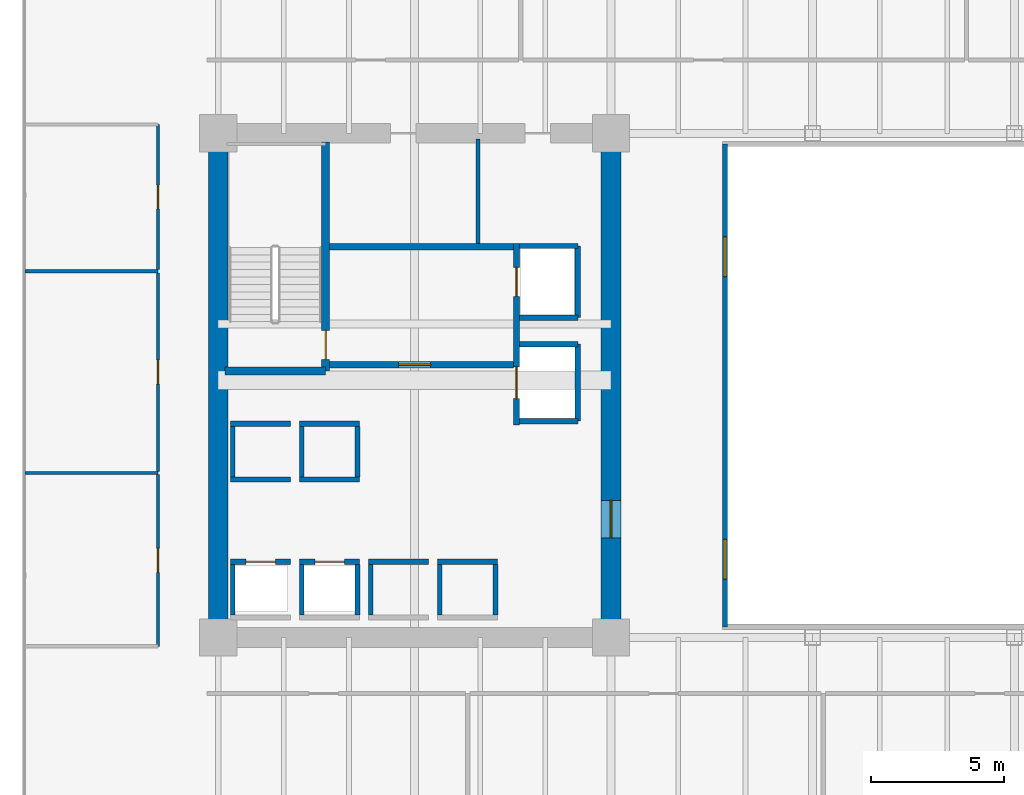
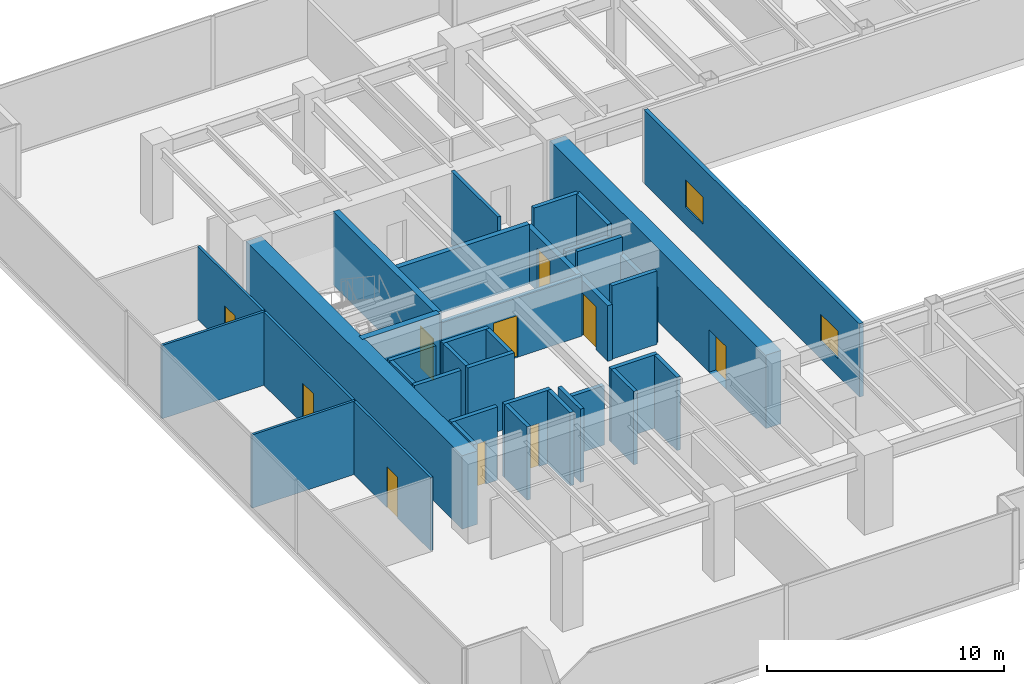
# One storey, part 29 of 35: 37 walls, 10 doors, 2 windows, 12 openings.
"""IFC4 building model written with IfcOpenShell, lengths in metres."""

from ifc_helpers import new_model, si_unit, direction, frame, frame_2d, origin, place, context, subcontext, project, spatial, rectangle, extrude, source, transform, mapped, material, layer, layer_set, type_object, type_shapes, element, fill, save


model = new_model("IFC4")

# Units and contexts
model_context = context("Model", 3, precision=1e-05, world=origin(), true_north=direction((0.0, 1.0)))
body_context = subcontext(model_context, "Body", "Model", "MODEL_VIEW")
ifc_project = project(units=[si_unit("LENGTHUNIT", "METRE"), si_unit("AREAUNIT", "SQUARE_METRE"), si_unit("VOLUMEUNIT", "CUBIC_METRE"), si_unit("PLANEANGLEUNIT", "RADIAN"), si_unit("MASSUNIT", "GRAM", prefix="KILO")], contexts=[model_context])

# Site, building, storey
site_placement = place(None, origin())
site = spatial("IfcSite", under=ifc_project, at=site_placement, CompositionType="ELEMENT")
building_placement = place(site_placement, origin())
building = spatial("IfcBuilding", under=site, at=building_placement, Name="Haelvirn Gate Laboratories", CompositionType="ELEMENT")
storey_placement = place(building_placement, frame((0.0, 0.0, 58.0)))
storey = spatial("IfcBuildingStorey", under=building, at=storey_placement, Name="L14", CompositionType="ELEMENT", Elevation=58.0)

# Wall, openings, windows
ifc_material_1 = material(Name="Tempered fire-rated borosilicate glass & anodised aluminium", Category="aluminium")
ifc_layer_1 = layer(ifc_material_1, 0.195068359375, Name="IW-GLAZ-200")
ifc_layer_set_1 = layer_set([ifc_layer_1], Name="Tempered fire-rated borosilicate glass & anodised aluminium")
wall_type_1 = type_object("IfcWallType", Name="IW-GLAZ-200", PredefinedType="SOLIDWALL", material=ifc_layer_set_1)
wall_1_placement = place(storey_placement, frame((26.5, 15.199951171875, 0.0), z_axis=(0.0, 0.0, 1.0), x_axis=(0.0, 1.0, 0.0)))
wall_1 = element("IfcWall", 1, at=wall_1_placement, inside=storey, type_object=wall_type_1, Name="L14 Interior Wall IW-L14-ATRIUM-W", PredefinedType="SOLIDWALL", context=body_context, shape_type="SweptSolid", body=[
    extrude(rectangle(XDim=18.199951171875, YDim=0.195068359375, at=frame_2d((9.10009765625, 0.0))), origin(), (0.0, 0.0, 1.0), 3.780029296875),
])
opening_1_placement = place(wall_1_placement, frame((1.800048828125, 0.0, 0.89990234375)))
opening_1 = element("IfcOpeningElement", 2, at=opening_1_placement, cuts=wall_1, Name="Opening W5", PredefinedType="OPENING", context=body_context, shape_type="SweptSolid", body=[
    extrude(rectangle(XDim=1.5, YDim=1.39990234375, at=frame_2d((0.75, 0.699951171875))), frame((0.0, 0.107421875, 0.0), z_axis=(0.0, -1.0, 0.0), x_axis=(1.0, 0.0, 0.0)), (0.0, 0.0, 1.0), 0.215087890625),
])
opening_2_placement = place(wall_1_placement, frame((13.199951171875, 0.0, 0.89990234375)))
opening_2 = element("IfcOpeningElement", 3, at=opening_2_placement, cuts=wall_1, Name="Opening W5", PredefinedType="OPENING", context=body_context, shape_type="SweptSolid", body=[
    extrude(rectangle(XDim=1.5, YDim=1.39990234375, at=frame_2d((0.75, 0.699951171875))), frame((0.0, 0.107421875, 0.0), z_axis=(0.0, -1.0, 0.0), x_axis=(1.0, 0.0, 0.0)), (0.0, 0.0, 1.0), 0.215087890625),
])
ifc_material_2 = material(Name="Fire-rated EI 120 borosilicate atrium vision glazing", Category="glass")
window_type = type_object("IfcWindowType", Name="WN-ATR-1500", PartitioningType="SINGLE_PANEL", PredefinedType="WINDOW", material=ifc_material_2)
shared_shape_1 = source(origin(), body_context, "Body", "SweptSolid", [
    extrude(rectangle(XDim=1.5, YDim=1.39990234375, at=frame_2d((0.75, 0.699951171875))), frame((0.0, 0.030029296875, 0.0), z_axis=(0.0, -1.0, 0.0), x_axis=(1.0, 0.0, 0.0)), (0.0, 0.0, 1.0), 0.06005859375),
])
type_shapes(window_type, [shared_shape_1])
window_1_placement = place(opening_1_placement, origin())
window_1 = element("IfcWindow", 4, at=window_1_placement, inside=storey, type_object=window_type, Name="L14 Atrium Observation Window 1", OverallHeight=1.39990234375, OverallWidth=1.5, PartitioningType="SINGLE_PANEL", PredefinedType="WINDOW", context=body_context, shape_type="MappedRepresentation", body=[
    mapped(shared_shape_1, transform((0.0, 0.0, 0.0), scale=1.0)),
])
fill(opening_1, window_1)
window_2_placement = place(opening_2_placement, origin())
window_2 = element("IfcWindow", 5, at=window_2_placement, inside=storey, type_object=window_type, Name="L14 Atrium Observation Window 2", OverallHeight=1.39990234375, OverallWidth=1.5, PartitioningType="SINGLE_PANEL", PredefinedType="WINDOW", context=body_context, shape_type="MappedRepresentation", body=[
    mapped(shared_shape_1, transform((0.0, 0.0, 0.0), scale=1.0)),
])
fill(opening_2, window_2)

# Wall, opening, door
ifc_material_3 = material(Name="Lightweight acoustic gypsum board partition", Category="gypsum")
ifc_layer_2 = layer(ifc_material_3, 0.1201171875, Name="IW-PART-120")
ifc_layer_set_2 = layer_set([ifc_layer_2], Name="Lightweight acoustic gypsum board partition")
wall_type_2 = type_object("IfcWallType", Name="IW-PART-120", PredefinedType="PARTITIONING", material=ifc_layer_set_2)
wall_2_placement = place(storey_placement, frame((5.1298828125, 14.465087890625, 0.0), z_axis=(0.0, 0.0, 1.0), x_axis=(0.0, 1.0, 0.0)))
wall_2 = element("IfcWall", 6, at=wall_2_placement, inside=storey, type_object=wall_type_2, Name="L14 Interior Wall IW-L14-WPASS-01", PredefinedType="PARTITIONING", context=body_context, shape_type="SweptSolid", body=[
    extrude(rectangle(XDim=6.474853515625, YDim=0.1201171875, at=frame_2d((3.2373046875, 0.0))), origin(), (0.0, 0.0, 1.0), 3.780029296875),
])
opening_3_placement = place(wall_2_placement, frame((2.78759765625, 0.0, 0.0)))
opening_3 = element("IfcOpeningElement", 7, at=opening_3_placement, cuts=wall_2, Name="Opening D4", PredefinedType="OPENING", context=body_context, shape_type="SweptSolid", body=[
    extrude(rectangle(XDim=0.89990234375, YDim=2.10009765625, at=frame_2d((0.449951171875, 1.050048828125))), frame((0.0, 0.070068359375, 0.0), z_axis=(0.0, -1.0, 0.0), x_axis=(1.0, 0.0, 0.0)), (0.0, 0.0, 1.0), 0.14013671875),
])
ifc_material_4 = material(Name="Glazed aluminium-framed write-up door", Category="aluminium")
door_type_1 = type_object("IfcDoorType", Name="DR-OFF-900", OperationType="NOTDEFINED", PredefinedType="DOOR", material=ifc_material_4)
shared_shape_2 = source(origin(), body_context, "Body", "SweptSolid", [
    extrude(rectangle(XDim=0.89990234375, YDim=2.10009765625, at=frame_2d((0.449951171875, 1.050048828125))), frame((0.0, 0.02490234375, 0.0), z_axis=(0.0, -1.0, 0.0), x_axis=(1.0, 0.0, 0.0)), (0.0, 0.0, 1.0), 0.050048828125),
])
type_shapes(door_type_1, [shared_shape_2])
door_1_placement = place(opening_3_placement, origin())
door_1 = element("IfcDoor", 8, at=door_1_placement, inside=storey, type_object=door_type_1, Name="L14 Chemical Synthesis Laboratory Door W1", OperationType="SINGLE_SWING_LEFT", OverallHeight=2.10009765625, OverallWidth=0.89990234375, PredefinedType="DOOR", context=body_context, shape_type="MappedRepresentation", body=[
    mapped(shared_shape_2, transform((0.0, 0.0, 0.0), scale=1.0)),
])
fill(opening_3, door_1)

# Wall
wall_3_placement = place(storey_placement, frame((0.110107421875, 21.0, 0.0), z_axis=(0.0, 0.0, 1.0), x_axis=(1.0, 0.0, 0.0)))
element("IfcWall", 9, at=wall_3_placement, inside=storey, type_object=wall_type_2, Name="L14 Interior Wall IW-L14-WDIV-01", PredefinedType="PARTITIONING", context=body_context, shape_type="SweptSolid", body=[
    extrude(rectangle(XDim=5.019775390625, YDim=0.1201171875, at=frame_2d((2.509765625, 0.0))), origin(), (0.0, 0.0, 1.0), 3.780029296875),
])

# Wall, opening, door
wall_4_placement = place(storey_placement, frame((5.1298828125, 21.06005859375, 0.0), z_axis=(0.0, 0.0, 1.0), x_axis=(0.0, 1.0, 0.0)))
wall_4 = element("IfcWall", 10, at=wall_4_placement, inside=storey, type_object=wall_type_2, Name="L14 Interior Wall IW-L14-WPASS-02", PredefinedType="PARTITIONING", context=body_context, shape_type="SweptSolid", body=[
    extrude(rectangle(XDim=7.47998046875, YDim=0.1201171875, at=frame_2d((3.739990234375, 0.0))), origin(), (0.0, 0.0, 1.0), 3.780029296875),
])
opening_4_placement = place(wall_4_placement, frame((3.2900390625, 0.0, 0.0)))
opening_4 = element("IfcOpeningElement", 11, at=opening_4_placement, cuts=wall_4, Name="Opening D4", PredefinedType="OPENING", context=body_context, shape_type="SweptSolid", body=[
    extrude(rectangle(XDim=0.89990234375, YDim=2.10009765625, at=frame_2d((0.449951171875, 1.050048828125))), frame((0.0, 0.070068359375, 0.0), z_axis=(0.0, -1.0, 0.0), x_axis=(1.0, 0.0, 0.0)), (0.0, 0.0, 1.0), 0.14013671875),
])
door_2_placement = place(opening_4_placement, origin())
door_2 = element("IfcDoor", 12, at=door_2_placement, inside=storey, type_object=door_type_1, Name="L14 Bioprocess Foundry Laboratory Door W2", OperationType="SINGLE_SWING_RIGHT", OverallHeight=2.10009765625, OverallWidth=0.89990234375, PredefinedType="DOOR", context=body_context, shape_type="MappedRepresentation", body=[
    mapped(shared_shape_2, transform((0.0, 0.0, 0.0), scale=1.0)),
])
fill(opening_4, door_2)

# Wall
wall_5_placement = place(storey_placement, frame((0.110107421875, 28.60009765625, 0.0), z_axis=(0.0, 0.0, 1.0), x_axis=(1.0, 0.0, 0.0)))
element("IfcWall", 13, at=wall_5_placement, inside=storey, type_object=wall_type_2, Name="L14 Interior Wall IW-L14-WDIV-02", PredefinedType="PARTITIONING", context=body_context, shape_type="SweptSolid", body=[
    extrude(rectangle(XDim=5.019775390625, YDim=0.1201171875, at=frame_2d((2.509765625, 0.0))), origin(), (0.0, 0.0, 1.0), 3.780029296875),
])

# Wall, opening, door
wall_6_placement = place(storey_placement, frame((5.1298828125, 28.659912109375, 0.0), z_axis=(0.0, 0.0, 1.0), x_axis=(0.0, 1.0, 0.0)))
wall_6 = element("IfcWall", 14, at=wall_6_placement, inside=storey, type_object=wall_type_2, Name="L14 Interior Wall IW-L14-WPASS-03", PredefinedType="PARTITIONING", context=body_context, shape_type="SweptSolid", body=[
    extrude(rectangle(XDim=5.47509765625, YDim=0.1201171875, at=frame_2d((2.737548828125, 0.0))), origin(), (0.0, 0.0, 1.0), 3.780029296875),
])
opening_5_placement = place(wall_6_placement, frame((2.28759765625, 0.0, 0.0)))
opening_5 = element("IfcOpeningElement", 15, at=opening_5_placement, cuts=wall_6, Name="Opening D4", PredefinedType="OPENING", context=body_context, shape_type="SweptSolid", body=[
    extrude(rectangle(XDim=0.89990234375, YDim=2.10009765625, at=frame_2d((0.449951171875, 1.050048828125))), frame((0.0, 0.070068359375, 0.0), z_axis=(0.0, -1.0, 0.0), x_axis=(1.0, 0.0, 0.0)), (0.0, 0.0, 1.0), 0.14013671875),
])
door_3_placement = place(opening_5_placement, origin())
door_3 = element("IfcDoor", 16, at=door_3_placement, inside=storey, type_object=door_type_1, Name="L14 Genomics Assay Laboratory Door W3", OperationType="SINGLE_SWING_LEFT", OverallHeight=2.10009765625, OverallWidth=0.89990234375, PredefinedType="DOOR", context=body_context, shape_type="MappedRepresentation", body=[
    mapped(shared_shape_2, transform((0.0, 0.0, 0.0), scale=1.0)),
])
fill(opening_5, door_3)

# Walls
ifc_material_5 = material(Name="Cement-board restroom plumbing chase wall", Category="gypsum")
ifc_layer_3 = layer(ifc_material_5, 0.155029296875, Name="IW-PLUMB-160")
ifc_layer_set_3 = layer_set([ifc_layer_3], Name="Cement-board restroom plumbing chase wall")
wall_type_3 = type_object("IfcWallType", Name="IW-PLUMB-160", PredefinedType="PLUMBINGWALL", material=ifc_layer_set_3)
wall_7_placement = place(storey_placement, frame((17.18994140625, 29.64990234375, 0.0), z_axis=(0.0, 0.0, 1.0), x_axis=(0.0, 1.0, 0.0)))
element("IfcWall", 17, at=wall_7_placement, inside=storey, type_object=wall_type_3, Name="L14 Interior Wall IW-L14-W-CDIV-1", PredefinedType="PLUMBINGWALL", context=body_context, shape_type="SweptSolid", body=[
    extrude(rectangle(XDim=3.93017578125, YDim=0.155029296875, at=frame_2d((1.965087890625, 0.0))), origin(), (0.0, 0.0, 1.0), 3.780029296875),
])
ifc_material_6 = material(Name="Concrete C40/50", Category="concrete")
ifc_layer_4 = layer(ifc_material_6, 0.179931640625, Name="IW-SHAFT-180")
ifc_layer_set_4 = layer_set([ifc_layer_4], Name="Concrete C40/50")
wall_type_4 = type_object("IfcWallType", Name="IW-SHAFT-180", PredefinedType="SOLIDWALL", material=ifc_layer_set_4)
for number, where, z_axis, x_axis, name in (
    (18, (7.949951171875, 15.64990234375, 0.0), (0.0, 0.0, 1.0), (0.0, 1.0, 0.0), "L14 Interior Wall IW-L14-PL1-SD"),
    (19, (10.550048828125, 15.64990234375, 0.0), (0.0, 0.0, 1.0), (0.0, 1.0, 0.0), "L14 Interior Wall IW-L14-PL2-SD"),
    (20, (12.64990234375, 15.64990234375, 0.0), (0.0, 0.0, 1.0), (0.0, 1.0, 0.0), "L14 Interior Wall IW-L14-PL2-SDE"),
    (21, (13.14990234375, 15.64990234375, 0.0), (0.0, 0.0, 1.0), (0.0, 1.0, 0.0), "L14 Interior Wall IW-L14-PL5-SD"),
    (22, (15.75, 15.64990234375, 0.0), (0.0, 0.0, 1.0), (0.0, 1.0, 0.0), "L14 Interior Wall IW-L14-PL6-SD"),
    (23, (17.85009765625, 15.64990234375, 0.0), (0.0, 0.0, 1.0), (0.0, 1.0, 0.0), "L14 Interior Wall IW-L14-PL6-SDE"),
):
    element("IfcWall", number, at=place(storey_placement, frame(where, z_axis=z_axis, x_axis=x_axis)), inside=storey, type_object=wall_type_4, Name=name, PredefinedType="SOLIDWALL", context=body_context, shape_type="SweptSolid", body=[
        extrude(rectangle(XDim=1.900146484375, YDim=0.179931640625, at=frame_2d((0.9501953125, 0.0))), origin(), (0.0, 0.0, 1.0), 3.780029296875),
    ])
for number, where, z_axis, x_axis, name in (
    (24, (7.949951171875, 20.85009765625, 0.0), (0.0, 0.0, 1.0), (0.0, 1.0, 0.0), "L14 Interior Wall IW-L14-PL9-SD"),
    (25, (10.550048828125, 20.85009765625, 0.0), (0.0, 0.0, 1.0), (0.0, 1.0, 0.0), "L14 Interior Wall IW-L14-PL10-SD"),
    (26, (12.64990234375, 20.85009765625, 0.0), (0.0, 0.0, 1.0), (0.0, 1.0, 0.0), "L14 Interior Wall IW-L14-PL10-SDE"),
):
    element("IfcWall", number, at=place(storey_placement, frame(where, z_axis=z_axis, x_axis=x_axis)), inside=storey, type_object=wall_type_4, Name=name, PredefinedType="SOLIDWALL", context=body_context, shape_type="SweptSolid", body=[
        extrude(rectangle(XDim=1.89990234375, YDim=0.179931640625, at=frame_2d((0.949951171875, 0.0))), origin(), (0.0, 0.0, 1.0), 3.780029296875),
    ])

# Wall, opening, door
ifc_layer_5 = layer(ifc_material_6, 0.199951171875, Name="IW-SHAFT-200")
ifc_layer_set_5 = layer_set([ifc_layer_5], Name="Concrete C40/50")
wall_type_5 = type_object("IfcWallType", Name="IW-SHAFT-200", PredefinedType="SOLIDWALL", material=ifc_layer_set_5)
wall_8_placement = place(storey_placement, frame((7.8701171875, 17.64990234375, 0.0), z_axis=(0.0, 0.0, 1.0), x_axis=(1.0, 0.0, 0.0)))
wall_8 = element("IfcWall", 27, at=wall_8_placement, inside=storey, type_object=wall_type_5, Name="L14 Interior Wall IW-L14-PL1-FR", PredefinedType="SOLIDWALL", context=body_context, shape_type="SweptSolid", body=[
    extrude(rectangle(XDim=2.259765625, YDim=0.199951171875, at=frame_2d((1.1298828125, 0.0))), origin(), (0.0, 0.0, 1.0), 3.780029296875),
])
opening_6_placement = place(wall_8_placement, frame((0.580078125, 0.0, 0.0)))
opening_6 = element("IfcOpeningElement", 28, at=opening_6_placement, cuts=wall_8, Name="Opening LD2", PredefinedType="OPENING", context=body_context, shape_type="SweptSolid", body=[
    extrude(rectangle(XDim=1.10009765625, YDim=2.219970703125, at=frame_2d((0.550048828125, 1.10986328125))), frame((0.0, 0.10986328125, 0.0), z_axis=(0.0, -1.0, 0.0), x_axis=(1.0, 0.0, 0.0)), (0.0, 0.0, 1.0), 0.219970703125),
])
ifc_material_7 = material(Name="Bronze stainless 316L sliding lift landing door")
door_type_2 = type_object("IfcDoorType", Name="DR-LD-1100", OperationType="NOTDEFINED", PredefinedType="USERDEFINED", material=ifc_material_7)
shared_shape_3 = source(origin(), body_context, "Body", "SweptSolid", [
    extrude(rectangle(XDim=1.10009765625, YDim=2.219970703125, at=frame_2d((0.550048828125, 1.10986328125))), frame((0.0, 0.02490234375, 0.0), z_axis=(0.0, -1.0, 0.0), x_axis=(1.0, 0.0, 0.0)), (0.0, 0.0, 1.0), 0.050048828125),
])
type_shapes(door_type_2, [shared_shape_3])
door_4_placement = place(opening_6_placement, origin())
door_4 = element("IfcDoor", 29, at=door_4_placement, inside=storey, type_object=door_type_2, Name="L14 Passenger Lift PL1 Landing Door", ObjectType="LANDING_DOOR", OperationType="SLIDING_TO_LEFT", OverallHeight=2.219970703125, OverallWidth=1.10009765625, PredefinedType="USERDEFINED", context=body_context, shape_type="MappedRepresentation", body=[
    mapped(shared_shape_3, transform((0.0, 0.0, 0.0), scale=1.0)),
])
fill(opening_6, door_4)

wall_9_placement = place(storey_placement, frame((10.469970703125, 17.64990234375, 0.0), z_axis=(0.0, 0.0, 1.0), x_axis=(1.0, 0.0, 0.0)))
wall_9 = element("IfcWall", 30, at=wall_9_placement, inside=storey, type_object=wall_type_5, Name="L14 Interior Wall IW-L14-PL2-FR", PredefinedType="SOLIDWALL", context=body_context, shape_type="SweptSolid", body=[
    extrude(rectangle(XDim=2.260009765625, YDim=0.199951171875, at=frame_2d((1.1298828125, 0.0))), origin(), (0.0, 0.0, 1.0), 3.780029296875),
])
opening_7_placement = place(wall_9_placement, frame((0.580078125, 0.0, 0.0)))
opening_7 = element("IfcOpeningElement", 31, at=opening_7_placement, cuts=wall_9, Name="Opening LD2", PredefinedType="OPENING", context=body_context, shape_type="SweptSolid", body=[
    extrude(rectangle(XDim=1.10009765625, YDim=2.219970703125, at=frame_2d((0.550048828125, 1.10986328125))), frame((0.0, 0.10986328125, 0.0), z_axis=(0.0, -1.0, 0.0), x_axis=(1.0, 0.0, 0.0)), (0.0, 0.0, 1.0), 0.219970703125),
])
door_5_placement = place(opening_7_placement, origin())
door_5 = element("IfcDoor", 32, at=door_5_placement, inside=storey, type_object=door_type_2, Name="L14 Passenger Lift PL2 Landing Door", ObjectType="LANDING_DOOR", OperationType="SLIDING_TO_RIGHT", OverallHeight=2.219970703125, OverallWidth=1.10009765625, PredefinedType="USERDEFINED", context=body_context, shape_type="MappedRepresentation", body=[
    mapped(shared_shape_3, transform((0.0, 0.0, 0.0), scale=1.0)),
])
fill(opening_7, door_5)

# Walls
wall_10_placement = place(storey_placement, frame((13.070068359375, 17.64990234375, 0.0), z_axis=(0.0, 0.0, 1.0), x_axis=(1.0, 0.0, 0.0)))
element("IfcWall", 33, at=wall_10_placement, inside=storey, type_object=wall_type_5, Name="L14 Interior Wall IW-L14-PL5-FR", PredefinedType="SOLIDWALL", context=body_context, shape_type="SweptSolid", body=[
    extrude(rectangle(XDim=2.260009765625, YDim=0.199951171875, at=frame_2d((1.1298828125, 0.0))), origin(), (0.0, 0.0, 1.0), 3.06494140625),
])
wall_11_placement = place(storey_placement, frame((15.669921875, 17.64990234375, 0.0), z_axis=(0.0, 0.0, 1.0), x_axis=(1.0, 0.0, 0.0)))
element("IfcWall", 34, at=wall_11_placement, inside=storey, type_object=wall_type_5, Name="L14 Interior Wall IW-L14-PL6-FR", PredefinedType="SOLIDWALL", context=body_context, shape_type="SweptSolid", body=[
    extrude(rectangle(XDim=2.260009765625, YDim=0.199951171875, at=frame_2d((1.1298828125, 0.0))), origin(), (0.0, 0.0, 1.0), 3.780029296875),
])
for number, where, z_axis, x_axis, name in (
    (35, (7.8701171875, 20.75, 0.0), (0.0, 0.0, 1.0), (1.0, 0.0, 0.0), "L14 Interior Wall IW-L14-PL9-FR"),
    (36, (7.8701171875, 22.85009765625, 0.0), (0.0, 0.0, 1.0), (1.0, 0.0, 0.0), "L14 Interior Wall IW-L14-PL9-BK"),
):
    element("IfcWall", number, at=place(storey_placement, frame(where, z_axis=z_axis, x_axis=x_axis)), inside=storey, type_object=wall_type_5, Name=name, PredefinedType="SOLIDWALL", context=body_context, shape_type="SweptSolid", body=[
        extrude(rectangle(XDim=2.259765625, YDim=0.199951171875, at=frame_2d((1.1298828125, 0.0))), origin(), (0.0, 0.0, 1.0), 3.780029296875),
    ])
for number, where, z_axis, x_axis, name in (
    (37, (10.469970703125, 20.75, 0.0), (0.0, 0.0, 1.0), (1.0, 0.0, 0.0), "L14 Interior Wall IW-L14-PL10-FR"),
    (38, (10.469970703125, 22.85009765625, 0.0), (0.0, 0.0, 1.0), (1.0, 0.0, 0.0), "L14 Interior Wall IW-L14-PL10-BK"),
):
    element("IfcWall", number, at=place(storey_placement, frame(where, z_axis=z_axis, x_axis=x_axis)), inside=storey, type_object=wall_type_5, Name=name, PredefinedType="SOLIDWALL", context=body_context, shape_type="SweptSolid", body=[
        extrude(rectangle(XDim=2.260009765625, YDim=0.199951171875, at=frame_2d((1.1298828125, 0.0))), origin(), (0.0, 0.0, 1.0), 3.780029296875),
    ])
wall_12_placement = place(storey_placement, frame((20.949951171875, 26.85009765625, 0.0), z_axis=(0.0, 0.0, 1.0), x_axis=(0.0, 1.0, 0.0)))
element("IfcWall", 39, at=wall_12_placement, inside=storey, type_object=wall_type_5, Name="L14 Interior Wall IW-L14-FL1-BK", PredefinedType="SOLIDWALL", context=body_context, shape_type="SweptSolid", body=[
    extrude(rectangle(XDim=2.699951171875, YDim=0.199951171875, at=frame_2d((1.35009765625, 0.0))), origin(), (0.0, 0.0, 1.0), 3.780029296875),
])
wall_13_placement = place(storey_placement, frame((18.760009765625, 29.550048828125, 0.0), z_axis=(0.0, 0.0, 1.0), x_axis=(1.0, 0.0, 0.0)))
element("IfcWall", 40, at=wall_13_placement, inside=storey, type_object=wall_type_5, Name="L14 Interior Wall IW-L14-FL1-N", PredefinedType="SOLIDWALL", context=body_context, shape_type="SweptSolid", body=[
    extrude(rectangle(XDim=2.18994140625, YDim=0.199951171875, at=frame_2d((1.094970703125, 0.0))), origin(), (0.0, 0.0, 1.0), 3.780029296875),
])
wall_14_placement = place(storey_placement, frame((18.760009765625, 26.85009765625, 0.0), z_axis=(0.0, 0.0, 1.0), x_axis=(1.0, 0.0, 0.0)))
element("IfcWall", 41, at=wall_14_placement, inside=storey, type_object=wall_type_5, Name="L14 Interior Wall IW-L14-FL1-S", PredefinedType="SOLIDWALL", context=body_context, shape_type="SweptSolid", body=[
    extrude(rectangle(XDim=2.18994140625, YDim=0.199951171875, at=frame_2d((1.094970703125, 0.0))), origin(), (0.0, 0.0, 1.0), 3.177001953125),
])
wall_15_placement = place(storey_placement, frame((20.949951171875, 22.949951171875, 0.0), z_axis=(0.0, 0.0, 1.0), x_axis=(0.0, 1.0, 0.0)))
element("IfcWall", 42, at=wall_15_placement, inside=storey, type_object=wall_type_5, Name="L14 Interior Wall IW-L14-SL1-BK", PredefinedType="SOLIDWALL", context=body_context, shape_type="SweptSolid", body=[
    extrude(rectangle(XDim=2.900146484375, YDim=0.199951171875, at=frame_2d((1.4501953125, 0.0))), origin(), (0.0, 0.0, 1.0), 2.864990234375),
])
for number, where, z_axis, x_axis, name in (
    (43, (18.760009765625, 25.85009765625, 0.0), (0.0, 0.0, 1.0), (1.0, 0.0, 0.0), "L14 Interior Wall IW-L14-SL1-N"),
    (44, (18.760009765625, 22.949951171875, 0.0), (0.0, 0.0, 1.0), (1.0, 0.0, 0.0), "L14 Interior Wall IW-L14-SL1-S"),
):
    element("IfcWall", number, at=place(storey_placement, frame(where, z_axis=z_axis, x_axis=x_axis)), inside=storey, type_object=wall_type_5, Name=name, PredefinedType="SOLIDWALL", context=body_context, shape_type="SweptSolid", body=[
        extrude(rectangle(XDim=2.18994140625, YDim=0.199951171875, at=frame_2d((1.094970703125, 0.0))), origin(), (0.0, 0.0, 1.0), 3.780029296875),
    ])

# Wall, opening, door
ifc_layer_6 = layer(ifc_material_6, 0.239990234375, Name="IW-SHAFT-240")
ifc_layer_set_6 = layer_set([ifc_layer_6], Name="Concrete C40/50")
wall_type_6 = type_object("IfcWallType", Name="IW-SHAFT-240", PredefinedType="SOLIDWALL", material=ifc_layer_set_6)
wall_16_placement = place(storey_placement, frame((11.60009765625, 25.080078125, 0.0), z_axis=(0.0, 0.0, 1.0), x_axis=(1.0, 0.0, 0.0)))
wall_16 = element("IfcWall", 45, at=wall_16_placement, inside=storey, type_object=wall_type_6, Name="L14 Interior Wall IW-L14-W-FF-S", PredefinedType="SOLIDWALL", context=body_context, shape_type="SweptSolid", body=[
    extrude(rectangle(XDim=6.919921875, YDim=0.239990234375, at=frame_2d((3.4599609375, 0.0))), origin(), (0.0, 0.0, 1.0), 3.06494140625),
])
opening_8_placement = place(wall_16_placement, frame((2.60009765625, 0.0, 0.0)))
opening_8 = element("IfcOpeningElement", 46, at=opening_8_placement, cuts=wall_16, Name="Opening FD2", PredefinedType="OPENING", context=body_context, shape_type="SweptSolid", body=[
    extrude(rectangle(XDim=1.199951171875, YDim=2.159912109375, at=frame_2d((0.60009765625, 1.080078125))), frame((0.0, 0.1298828125, 0.0), z_axis=(0.0, -1.0, 0.0), x_axis=(1.0, 0.0, 0.0)), (0.0, 0.0, 1.0), 0.260009765625),
])
ifc_material_8 = material(Name="Fire-rated steel SM355 compartment door", Category="steel")
door_type_3 = type_object("IfcDoorType", Name="DR-FD-1200", OperationType="NOTDEFINED", PredefinedType="DOOR", material=ifc_material_8)
shared_shape_4 = source(origin(), body_context, "Body", "SweptSolid", [
    extrude(rectangle(XDim=1.199951171875, YDim=2.159912109375, at=frame_2d((0.60009765625, 1.080078125))), frame((0.0, 0.02490234375, 0.0), z_axis=(0.0, -1.0, 0.0), x_axis=(1.0, 0.0, 0.0)), (0.0, 0.0, 1.0), 0.050048828125),
])
type_shapes(door_type_3, [shared_shape_4])
door_6_placement = place(opening_8_placement, origin())
door_6 = element("IfcDoor", 47, at=door_6_placement, inside=storey, type_object=door_type_3, Name="L14 West Firefighting Lobby Door", OperationType="SINGLE_SWING_RIGHT", OverallHeight=2.159912109375, OverallWidth=1.199951171875, PredefinedType="DOOR", context=body_context, shape_type="MappedRepresentation", body=[
    mapped(shared_shape_4, transform((0.0, 0.0, 0.0), scale=1.0)),
])
fill(opening_8, door_6)

# Wall
wall_17_placement = place(storey_placement, frame((11.60009765625, 29.52001953125, 0.0), z_axis=(0.0, 0.0, 1.0), x_axis=(1.0, 0.0, 0.0)))
element("IfcWall", 48, at=wall_17_placement, inside=storey, type_object=wall_type_6, Name="L14 Interior Wall IW-L14-W-FF-N", PredefinedType="SOLIDWALL", context=body_context, shape_type="SweptSolid", body=[
    extrude(rectangle(XDim=6.919921875, YDim=0.239990234375, at=frame_2d((3.4599609375, 0.0))), origin(), (0.0, 0.0, 1.0), 3.06494140625),
])

# Wall, openings, doors
wall_18_placement = place(storey_placement, frame((18.639892578125, 22.800048828125, 0.0), z_axis=(0.0, 0.0, 1.0), x_axis=(0.0, 1.0, 0.0)))
wall_18 = element("IfcWall", 49, at=wall_18_placement, inside=storey, type_object=wall_type_6, Name="L14 Interior Wall IW-L14-W-FF-E", PredefinedType="SOLIDWALL", context=body_context, shape_type="SweptSolid", body=[
    extrude(rectangle(XDim=6.849853515625, YDim=0.239990234375, at=frame_2d((3.4248046875, 0.0))), origin(), (0.0, 0.0, 1.0), 2.864990234375),
])
opening_9_placement = place(wall_18_placement, frame((4.85009765625, 0.0, 0.0)))
opening_9 = element("IfcOpeningElement", 50, at=opening_9_placement, cuts=wall_18, Name="Opening LD2", PredefinedType="OPENING", context=body_context, shape_type="SweptSolid", body=[
    extrude(rectangle(XDim=1.10009765625, YDim=2.219970703125, at=frame_2d((0.550048828125, 1.10986328125))), frame((0.0, 0.1298828125, 0.0), z_axis=(0.0, -1.0, 0.0), x_axis=(1.0, 0.0, 0.0)), (0.0, 0.0, 1.0), 0.260009765625),
])
opening_10_placement = place(wall_18_placement, frame((1.0, 0.0, 0.0)))
opening_10 = element("IfcOpeningElement", 51, at=opening_10_placement, cuts=wall_18, Name="Opening LD1", PredefinedType="OPENING", context=body_context, shape_type="SweptSolid", body=[
    extrude(rectangle(XDim=1.199951171875, YDim=2.219970703125, at=frame_2d((0.60009765625, 1.10986328125))), frame((0.0, 0.1298828125, 0.0), z_axis=(0.0, -1.0, 0.0), x_axis=(1.0, 0.0, 0.0)), (0.0, 0.0, 1.0), 0.260009765625),
])
door_7_placement = place(opening_9_placement, origin())
door_7 = element("IfcDoor", 52, at=door_7_placement, inside=storey, type_object=door_type_2, Name="L14 Firefighting Lift FL1 Landing Door", ObjectType="LANDING_DOOR", OperationType="SLIDING_TO_LEFT", OverallHeight=2.219970703125, OverallWidth=1.10009765625, PredefinedType="USERDEFINED", context=body_context, shape_type="MappedRepresentation", body=[
    mapped(shared_shape_3, transform((0.0, 0.0, 0.0), scale=1.0)),
])
fill(opening_9, door_7)
ifc_material_9 = material(Name="Stainless steel 316L sliding goods landing door", Category="steel")
door_type_4 = type_object("IfcDoorType", Name="DR-LD-1200", OperationType="NOTDEFINED", PredefinedType="USERDEFINED", material=ifc_material_9)
shared_shape_5 = source(origin(), body_context, "Body", "SweptSolid", [
    extrude(rectangle(XDim=1.199951171875, YDim=2.219970703125, at=frame_2d((0.60009765625, 1.10986328125))), frame((0.0, 0.02490234375, 0.0), z_axis=(0.0, -1.0, 0.0), x_axis=(1.0, 0.0, 0.0)), (0.0, 0.0, 1.0), 0.050048828125),
])
type_shapes(door_type_4, [shared_shape_5])
door_8_placement = place(opening_10_placement, origin())
door_8 = element("IfcDoor", 53, at=door_8_placement, inside=storey, type_object=door_type_4, Name="L14 Service Lift SL1 Landing Door", ObjectType="LANDING_DOOR", OperationType="SLIDING_TO_RIGHT", OverallHeight=2.219970703125, OverallWidth=1.199951171875, PredefinedType="USERDEFINED", context=body_context, shape_type="MappedRepresentation", body=[
    mapped(shared_shape_5, transform((0.0, 0.0, 0.0), scale=1.0)),
])
fill(opening_10, door_8)

# Wall
ifc_material_10 = material(Name="Concrete C70/85", Category="concrete")
ifc_layer_7 = layer(ifc_material_10, 0.75, Name="SW-CORE-750")
ifc_layer_set_7 = layer_set([ifc_layer_7], Name="Concrete C70/85")
wall_type_7 = type_object("IfcWallType", Name="SW-CORE-750", PredefinedType="SHEAR", material=ifc_layer_set_7)
wall_19_placement = place(storey_placement, frame((7.39990234375, 15.175048828125, 0.0), z_axis=(0.0, 0.0, 1.0), x_axis=(0.0, 1.0, 0.0)))
element("IfcWall", 54, at=wall_19_placement, inside=storey, type_object=wall_type_7, Name="L14 W Core Shear Wall W", PredefinedType="SHEAR", context=body_context, shape_type="SweptSolid", body=[
    extrude(rectangle(XDim=18.25, YDim=0.75, at=frame_2d((9.125, 0.0))), origin(), (0.0, 0.0, 1.0), 3.780029296875),
])

# Wall, opening, door
wall_20_placement = place(storey_placement, frame((22.199951171875, 15.175048828125, 0.0), z_axis=(0.0, 0.0, 1.0), x_axis=(0.0, 1.0, 0.0)))
wall_20 = element("IfcWall", 55, at=wall_20_placement, inside=storey, type_object=wall_type_7, Name="L14 W Core Shear Wall E", PredefinedType="SHEAR", context=body_context, shape_type="SweptSolid", body=[
    extrude(rectangle(XDim=18.25, YDim=0.75, at=frame_2d((9.125, 0.0))), origin(), (0.0, 0.0, 1.0), 3.780029296875),
])
opening_11_placement = place(wall_20_placement, frame((3.375, 0.0, 0.0)))
opening_11 = element("IfcOpeningElement", 56, at=opening_11_placement, cuts=wall_20, Name="Opening FD1", PredefinedType="OPENING", context=body_context, shape_type="SweptSolid", body=[
    extrude(rectangle(XDim=1.419921875, YDim=2.199951171875, at=frame_2d((0.7099609375, 1.10009765625))), frame((0.0, 0.385009765625, 0.0), z_axis=(0.0, -1.0, 0.0), x_axis=(1.0, 0.0, 0.0)), (0.0, 0.0, 1.0), 0.77001953125),
])
ifc_material_11 = material(Name="Fire-rated double steel SM355 lobby door", Category="steel")
door_type_5 = type_object("IfcDoorType", Name="DR-FD-1400", OperationType="NOTDEFINED", PredefinedType="DOOR", material=ifc_material_11)
shared_shape_6 = source(origin(), body_context, "Body", "SweptSolid", [
    extrude(rectangle(XDim=1.419921875, YDim=2.199951171875, at=frame_2d((0.7099609375, 1.10009765625))), frame((0.0, 0.02490234375, 0.0), z_axis=(0.0, -1.0, 0.0), x_axis=(1.0, 0.0, 0.0)), (0.0, 0.0, 1.0), 0.050048828125),
])
type_shapes(door_type_5, [shared_shape_6])
door_9_placement = place(opening_11_placement, origin())
door_9 = element("IfcDoor", 57, at=door_9_placement, inside=storey, type_object=door_type_5, Name="L14 West Core Lift Lobby Fire Door", OperationType="DOUBLE_DOOR_SINGLE_SWING", OverallHeight=2.199951171875, OverallWidth=1.419921875, PredefinedType="DOOR", context=body_context, shape_type="MappedRepresentation", body=[
    mapped(shared_shape_6, transform((0.0, 0.0, 0.0), scale=1.0)),
])
fill(opening_11, door_9)

ifc_material_12 = material(Name="Concrete C50/60", Category="concrete")
ifc_layer_8 = layer(ifc_material_12, 0.300048828125, Name="SW-STAIR-300")
ifc_layer_set_8 = layer_set([ifc_layer_8], Name="Concrete C50/60")
wall_type_8 = type_object("IfcWallType", Name="SW-STAIR-300", PredefinedType="SHEAR", material=ifc_layer_set_8)
wall_21_placement = place(storey_placement, frame((11.449951171875, 24.85009765625, 0.0), z_axis=(0.0, 0.0, 1.0), x_axis=(0.0, 1.0, 0.0)))
wall_21 = element("IfcWall", 58, at=wall_21_placement, inside=storey, type_object=wall_type_8, Name="L14 W Core Stair Shaft Structural Wall IN", PredefinedType="SHEAR", context=body_context, shape_type="SweptSolid", body=[
    extrude(rectangle(XDim=8.6298828125, YDim=0.300048828125, at=frame_2d((4.31494140625, 0.0))), origin(), (0.0, 0.0, 1.0), 3.780029296875),
])
opening_12_placement = place(wall_21_placement, frame((0.419921875, 0.0, 0.0)))
opening_12 = element("IfcOpeningElement", 59, at=opening_12_placement, cuts=wall_21, Name="Opening FD3", PredefinedType="OPENING", context=body_context, shape_type="SweptSolid", body=[
    extrude(rectangle(XDim=1.10009765625, YDim=2.14990234375, at=frame_2d((0.550048828125, 1.074951171875))), frame((0.0, 0.16015625, 0.0), z_axis=(0.0, -1.0, 0.0), x_axis=(1.0, 0.0, 0.0)), (0.0, 0.0, 1.0), 0.320068359375),
])
ifc_material_13 = material(Name="Fire-rated steel SM355 escape stair door", Category="steel")
door_type_6 = type_object("IfcDoorType", Name="DR-FD-1100", OperationType="NOTDEFINED", PredefinedType="DOOR", material=ifc_material_13)
shared_shape_7 = source(origin(), body_context, "Body", "SweptSolid", [
    extrude(rectangle(XDim=1.10009765625, YDim=2.14990234375, at=frame_2d((0.550048828125, 1.074951171875))), frame((0.0, 0.02490234375, 0.0), z_axis=(0.0, -1.0, 0.0), x_axis=(1.0, 0.0, 0.0)), (0.0, 0.0, 1.0), 0.050048828125),
])
type_shapes(door_type_6, [shared_shape_7])
door_10_placement = place(opening_12_placement, origin())
door_10 = element("IfcDoor", 60, at=door_10_placement, inside=storey, type_object=door_type_6, Name="L14 Escape Stair ST1 Fire Door", OperationType="SINGLE_SWING_LEFT", OverallHeight=2.14990234375, OverallWidth=1.10009765625, PredefinedType="DOOR", context=body_context, shape_type="MappedRepresentation", body=[
    mapped(shared_shape_7, transform((0.0, 0.0, 0.0), scale=1.0)),
])
fill(opening_12, door_10)

# Wall
wall_22_placement = place(storey_placement, frame((7.64990234375, 24.85009765625, 0.0), z_axis=(0.0, 0.0, 1.0), x_axis=(1.0, 0.0, 0.0)))
element("IfcWall", 61, at=wall_22_placement, inside=storey, type_object=wall_type_8, Name="L14 W Core Stair Shaft Structural Wall S", PredefinedType="SHEAR", context=body_context, shape_type="SweptSolid", body=[
    extrude(rectangle(XDim=3.800048828125, YDim=0.300048828125, at=frame_2d((1.89990234375, 0.0))), origin(), (0.0, 0.0, 1.0), 3.780029296875),
])

save(model, "model.ifc")
